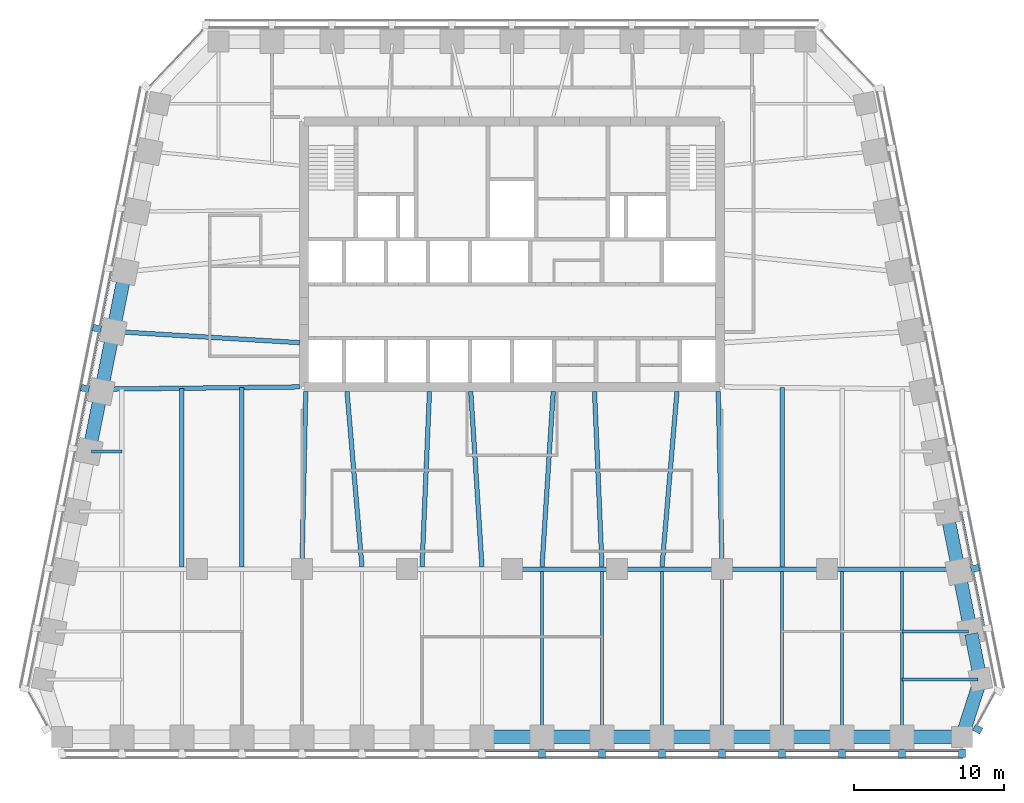
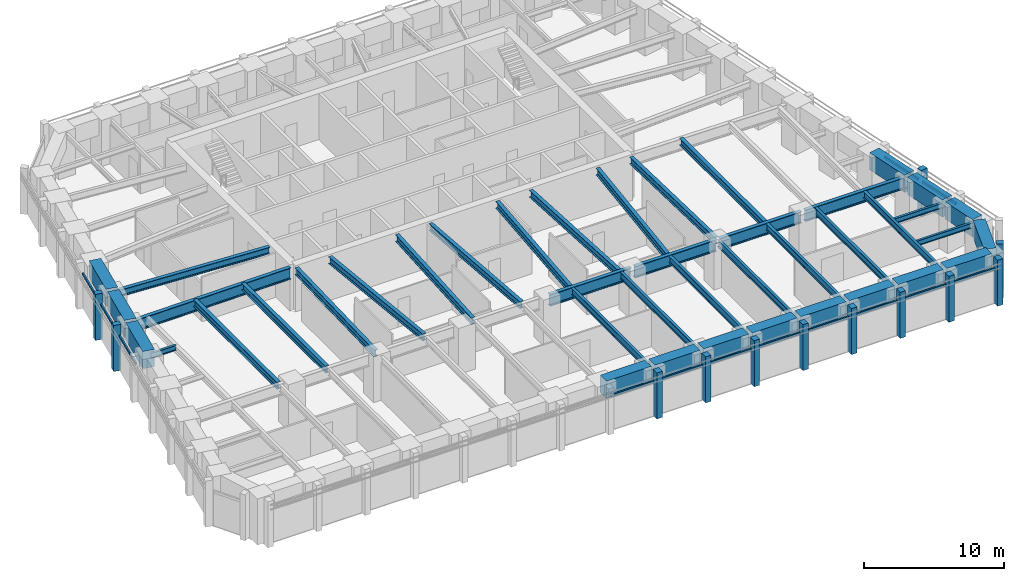
# One storey, part 2 of 10: 42 beams, 25 members, 4 elements without a shape of their own.
"""IFC4 building model written with IfcOpenShell, lengths in metres."""

from ifc_helpers import new_model, si_unit, direction, frame, origin, origin_2d, place, context, subcontext, project, spatial, rectangle, i_section, extrude, material, material_profile, profile_set, type_object, element, aggregate, save


model = new_model("IFC4")

# Units and contexts
model_context = context("Model", 3, precision=1e-05, world=origin(), true_north=direction((0.0, 1.0)))
body_context = subcontext(model_context, "Body", "Model", "MODEL_VIEW")
ifc_project = project(units=[si_unit("LENGTHUNIT", "METRE"), si_unit("AREAUNIT", "SQUARE_METRE"), si_unit("VOLUMEUNIT", "CUBIC_METRE"), si_unit("PLANEANGLEUNIT", "RADIAN"), si_unit("MASSUNIT", "GRAM", prefix="KILO")], contexts=[model_context])

# Site, building, storey
site_placement = place(None, origin())
site = spatial("IfcSite", under=ifc_project, at=site_placement, CompositionType="ELEMENT")
building_placement = place(site_placement, origin())
building = spatial("IfcBuilding", under=site, at=building_placement, Name="Isbrekke Arena Tower", CompositionType="ELEMENT")
storey_placement = place(building_placement, frame((0.0, 0.0, 234.0)))
storey = spatial("IfcBuildingStorey", under=building, at=storey_placement, Name="L54", CompositionType="ELEMENT", Elevation=234.0)

# Beams
ifc_material_1 = material(Name="Steel S355", Category="steel")
ifc_material_profile_1 = material_profile(ifc_material_1, i_section(OverallWidth=0.219970703125, OverallDepth=0.60009765625, WebThickness=0.011962890625, FlangeThickness=0.01904296875, FilletRadius=0.02392578125, at=origin_2d()), Name="IPE 600")
ifc_profile_set_1 = profile_set([ifc_material_profile_1], Name="Steel S355")
beam_type_1 = type_object("IfcBeamType", Name="B1 IPE 600", PredefinedType="BEAM", material=ifc_profile_set_1)
for number, where, z_axis, x_axis, name in (
    (1, (2.0, -17.02490234375, 3.550048828125), (0.0, 1.0, 0.0), (-1.0, 0.0, 0.0), "B1 beam S-S09 L54"),
    (2, (6.0, -17.02490234375, 3.550048828125), (0.0, 1.0, 0.0), (-1.0, 0.0, 0.0), "B1 beam S-S10 L54"),
    (3, (10.0, -17.02490234375, 3.550048828125), (0.0, 1.0, 0.0), (-1.0, 0.0, 0.0), "B1 beam S-S11 L54"),
):
    element("IfcBeam", number, at=place(storey_placement, frame(where, z_axis=z_axis, x_axis=x_axis)), inside=storey, type_object=beam_type_1, Name=name, PredefinedType="BEAM", context=body_context, shape_type="SweptSolid", body=[
        extrude(i_section(OverallWidth=0.219970703125, OverallDepth=0.60009765625, WebThickness=0.011962890625, FlangeThickness=0.01904296875, FilletRadius=0.02392578125, at=origin_2d()), origin(), (0.0, 0.0, 1.0), 10.8740234375),
    ])
beam_1_placement = place(storey_placement, frame((14.0, -17.02490234375, 3.550048828125), z_axis=(0.0, 1.0, 0.0), x_axis=(-1.0, 0.0, 0.0)))
element("IfcBeam", 4, at=beam_1_placement, inside=storey, type_object=beam_type_1, Name="B1 beam S-S12 L54", PredefinedType="BEAM", context=body_context, shape_type="SweptSolid", body=[
    extrude(i_section(OverallWidth=0.219970703125, OverallDepth=0.60009765625, WebThickness=0.011962890625, FlangeThickness=0.01904296875, FilletRadius=0.02392578125, at=origin_2d()), origin(), (0.0, 0.0, 1.0), 10.875),
])
for number, where, z_axis, x_axis, name in (
    (5, (18.0, -17.02490234375, 3.550048828125), (0.0, 1.0, 0.0), (-1.0, 0.0, 0.0), "B1 beam S-S13 L54"),
    (6, (22.0, -17.02490234375, 3.550048828125), (0.0, 1.0, 0.0), (-1.0, 0.0, 0.0), "B1 beam S-S14 L54"),
    (7, (26.0, -17.02490234375, 3.550048828125), (0.0, 1.0, 0.0), (-1.0, 0.0, 0.0), "B1 beam S-S15 L54"),
):
    element("IfcBeam", number, at=place(storey_placement, frame(where, z_axis=z_axis, x_axis=x_axis)), inside=storey, type_object=beam_type_1, Name=name, PredefinedType="BEAM", context=body_context, shape_type="SweptSolid", body=[
        extrude(i_section(OverallWidth=0.219970703125, OverallDepth=0.60009765625, WebThickness=0.011962890625, FlangeThickness=0.01904296875, FilletRadius=0.02392578125, at=origin_2d()), origin(), (0.0, 0.0, 1.0), 10.8740234375),
    ])
ifc_material_2 = material(Name="Steel S355", Category="steel")
ifc_material_profile_2 = material_profile(ifc_material_2, i_section(OverallWidth=0.18994140625, OverallDepth=0.449951171875, WebThickness=0.009521484375, FlangeThickness=0.0146484375, FilletRadius=0.02099609375, at=origin_2d()), Name="IPE 450")
ifc_profile_set_2 = profile_set([ifc_material_profile_2], Name="Steel S355")
beam_type_2 = type_object("IfcBeamType", Name="B2 IPE 450", PredefinedType="BEAM", material=ifc_profile_set_2)
beam_2_placement = place(storey_placement, frame((31.079345703125, -13.352783203125, 3.625), z_axis=(-1.0, 0.0, 0.0), x_axis=(0.0, -1.0, 0.0)))
element("IfcBeam", 8, at=beam_2_placement, inside=storey, type_object=beam_type_2, Name="B2 beam E-E01 L54", PredefinedType="BEAM", context=body_context, shape_type="SweptSolid", body=[
    extrude(i_section(OverallWidth=0.18994140625, OverallDepth=0.449951171875, WebThickness=0.009521484375, FlangeThickness=0.0146484375, FilletRadius=0.02099609375, at=origin_2d()), origin(), (0.0, 0.0, 1.0), 5.079345703125),
])
beam_3_placement = place(storey_placement, frame((30.44091796875, -10.161865234375, 3.625), z_axis=(-1.0, 0.0, 0.0), x_axis=(0.0, -1.0, 0.0)))
element("IfcBeam", 9, at=beam_3_placement, inside=storey, type_object=beam_type_2, Name="B2 beam E-E02 L54", PredefinedType="BEAM", context=body_context, shape_type="SweptSolid", body=[
    extrude(i_section(OverallWidth=0.18994140625, OverallDepth=0.449951171875, WebThickness=0.009521484375, FlangeThickness=0.0146484375, FilletRadius=0.02099609375, at=origin_2d()), origin(), (0.0, 0.0, 1.0), 4.44091796875),
])
beam_4_placement = place(storey_placement, frame((-28.041015625, 1.838134765625, 3.625), z_axis=(1.0, 0.0, 0.0), x_axis=(0.0, 1.0, 0.0)))
element("IfcBeam", 10, at=beam_4_placement, inside=storey, type_object=beam_type_2, Name="B2 beam E-W07 L54", PredefinedType="BEAM", context=body_context, shape_type="SweptSolid", body=[
    extrude(i_section(OverallWidth=0.18994140625, OverallDepth=0.449951171875, WebThickness=0.009521484375, FlangeThickness=0.0146484375, FilletRadius=0.02099609375, at=origin_2d()), origin(), (0.0, 0.0, 1.0), 2.041015625),
])
ifc_material_3 = material(Name="Steel S355", Category="steel")
ifc_material_profile_3 = material_profile(ifc_material_3, i_section(OverallWidth=0.300048828125, OverallDepth=0.60009765625, WebThickness=0.015380859375, FlangeThickness=0.030029296875, FilletRadius=0.027099609375, at=origin_2d()), Name="HEB 600")
ifc_profile_set_3 = profile_set([ifc_material_profile_3], Name="Steel S355")
beam_type_3 = type_object("IfcBeamType", Name="B7 HEB 600", PredefinedType="BEAM", material=ifc_profile_set_3)
beam_5_placement = place(storey_placement, frame((-22.0, -5.84912109375, 3.550048828125), z_axis=(0.0, 1.0, 0.0), x_axis=(-1.0, 0.0, 0.0)))
element("IfcBeam", 11, at=beam_5_placement, inside=storey, type_object=beam_type_3, Name="B7 beam C-M02 L54", PredefinedType="BEAM", context=body_context, shape_type="SweptSolid", body=[
    extrude(i_section(OverallWidth=0.300048828125, OverallDepth=0.60009765625, WebThickness=0.015380859375, FlangeThickness=0.030029296875, FilletRadius=0.027099609375, at=origin_2d()), origin(), (0.0, 0.0, 1.0), 11.91015625),
])
beam_6_placement = place(storey_placement, frame((-18.0, -5.84912109375, 3.550048828125), z_axis=(0.0, 1.0, 0.0), x_axis=(-1.0, 0.0, 0.0)))
element("IfcBeam", 12, at=beam_6_placement, inside=storey, type_object=beam_type_3, Name="B7 beam C-M03 L54", PredefinedType="BEAM", context=body_context, shape_type="SweptSolid", body=[
    extrude(i_section(OverallWidth=0.300048828125, OverallDepth=0.60009765625, WebThickness=0.015380859375, FlangeThickness=0.030029296875, FilletRadius=0.027099609375, at=origin_2d()), origin(), (0.0, 0.0, 1.0), 11.95556640625),
])
beam_7_placement = place(storey_placement, frame((-14.0, -5.8466796875, 3.550048828125), z_axis=(0.021368528218, 0.999771666933, 0.0), x_axis=(-0.999771666933, 0.021368528218, 0.0)))
element("IfcBeam", 13, at=beam_7_placement, inside=storey, type_object=beam_type_3, Name="B7 beam C-M04 L54", PredefinedType="BEAM", context=body_context, shape_type="SweptSolid", body=[
    extrude(i_section(OverallWidth=0.300048828125, OverallDepth=0.60009765625, WebThickness=0.015380859375, FlangeThickness=0.030029296875, FilletRadius=0.027099609375, at=origin_2d()), origin(), (0.0, 0.0, 1.0), 11.699462890625),
])
beam_8_placement = place(storey_placement, frame((-10.0009765625, -5.836181640625, 3.550048828125), z_axis=(-0.085176202372, 0.996365903948, 0.0), x_axis=(-0.996365903948, -0.085176202372, 0.0)))
element("IfcBeam", 14, at=beam_8_placement, inside=storey, type_object=beam_type_3, Name="B7 beam C-M05 L54", PredefinedType="BEAM", context=body_context, shape_type="SweptSolid", body=[
    extrude(i_section(OverallWidth=0.300048828125, OverallDepth=0.60009765625, WebThickness=0.015380859375, FlangeThickness=0.030029296875, FilletRadius=0.027099609375, at=origin_2d()), origin(), (0.0, 0.0, 1.0), 11.72900390625),
])
beam_9_placement = place(storey_placement, frame((-5.999755859375, -5.842529296875, 3.550048828125), z_axis=(0.042702124015, 0.999087848292, 0.0), x_axis=(-0.999087848292, 0.042702124015, 0.0)))
element("IfcBeam", 15, at=beam_9_placement, inside=storey, type_object=beam_type_3, Name="B7 beam C-M06 L54", PredefinedType="BEAM", context=body_context, shape_type="SweptSolid", body=[
    extrude(i_section(OverallWidth=0.300048828125, OverallDepth=0.60009765625, WebThickness=0.015380859375, FlangeThickness=0.030029296875, FilletRadius=0.027099609375, at=origin_2d()), origin(), (0.0, 0.0, 1.0), 11.703369140625),
])
for number, where, z_axis, x_axis, name in (
    (16, (-2.000732421875, -5.83935546875, 3.550048828125), (-0.063966475255, 0.997952047968, 0.0), (-0.997952047968, -0.063966475255, 0.0), "B7 beam C-M07 L54"),
    (17, (2.000732421875, -5.83935546875, 3.550048828125), (0.063966475255, 0.997952047968, 0.0), (-0.997952047968, 0.063966475255, 0.0), "B7 beam C-M08 L54"),
):
    element("IfcBeam", number, at=place(storey_placement, frame(where, z_axis=z_axis, x_axis=x_axis)), inside=storey, type_object=beam_type_3, Name=name, PredefinedType="BEAM", context=body_context, shape_type="SweptSolid", body=[
        extrude(i_section(OverallWidth=0.300048828125, OverallDepth=0.60009765625, WebThickness=0.015380859375, FlangeThickness=0.030029296875, FilletRadius=0.027099609375, at=origin_2d()), origin(), (0.0, 0.0, 1.0), 11.71337890625),
    ])
beam_10_placement = place(storey_placement, frame((5.999755859375, -5.842529296875, 3.550048828125), z_axis=(-0.042702124015, 0.999087848292, 0.0), x_axis=(-0.999087848292, -0.042702124015, 0.0)))
element("IfcBeam", 18, at=beam_10_placement, inside=storey, type_object=beam_type_3, Name="B7 beam C-M09 L54", PredefinedType="BEAM", context=body_context, shape_type="SweptSolid", body=[
    extrude(i_section(OverallWidth=0.300048828125, OverallDepth=0.60009765625, WebThickness=0.015380859375, FlangeThickness=0.030029296875, FilletRadius=0.027099609375, at=origin_2d()), origin(), (0.0, 0.0, 1.0), 11.703369140625),
])
beam_11_placement = place(storey_placement, frame((10.0009765625, -5.836181640625, 3.550048828125), z_axis=(0.085176202372, 0.996365903948, 0.0), x_axis=(-0.996365903948, 0.085176202372, 0.0)))
element("IfcBeam", 19, at=beam_11_placement, inside=storey, type_object=beam_type_3, Name="B7 beam C-M10 L54", PredefinedType="BEAM", context=body_context, shape_type="SweptSolid", body=[
    extrude(i_section(OverallWidth=0.300048828125, OverallDepth=0.60009765625, WebThickness=0.015380859375, FlangeThickness=0.030029296875, FilletRadius=0.027099609375, at=origin_2d()), origin(), (0.0, 0.0, 1.0), 11.72900390625),
])
beam_12_placement = place(storey_placement, frame((14.0, -5.8466796875, 3.550048828125), z_axis=(-0.021368528218, 0.999771666933, 0.0), x_axis=(-0.999771666933, -0.021368528218, 0.0)))
element("IfcBeam", 20, at=beam_12_placement, inside=storey, type_object=beam_type_3, Name="B7 beam C-M11 L54", PredefinedType="BEAM", context=body_context, shape_type="SweptSolid", body=[
    extrude(i_section(OverallWidth=0.300048828125, OverallDepth=0.60009765625, WebThickness=0.015380859375, FlangeThickness=0.030029296875, FilletRadius=0.027099609375, at=origin_2d()), origin(), (0.0, 0.0, 1.0), 11.699462890625),
])
beam_13_placement = place(storey_placement, frame((18.0, -5.84912109375, 3.550048828125), z_axis=(0.0, 1.0, 0.0), x_axis=(-1.0, 0.0, 0.0)))
element("IfcBeam", 21, at=beam_13_placement, inside=storey, type_object=beam_type_3, Name="B7 beam C-M12 L54", PredefinedType="BEAM", context=body_context, shape_type="SweptSolid", body=[
    extrude(i_section(OverallWidth=0.300048828125, OverallDepth=0.60009765625, WebThickness=0.015380859375, FlangeThickness=0.030029296875, FilletRadius=0.027099609375, at=origin_2d()), origin(), (0.0, 0.0, 1.0), 11.95556640625),
])
beam_14_placement = place(storey_placement, frame((-26.43212890625, 9.837646484375, 3.550048828125), z_axis=(0.998201854902, -0.059942112659, 0.0), x_axis=(0.059942112659, 0.998201854902, 0.0)))
element("IfcBeam", 22, at=beam_14_placement, inside=storey, type_object=beam_type_3, Name="B7 beam E-W05 L54", PredefinedType="BEAM", context=body_context, shape_type="SweptSolid", body=[
    extrude(i_section(OverallWidth=0.300048828125, OverallDepth=0.60009765625, WebThickness=0.015380859375, FlangeThickness=0.030029296875, FilletRadius=0.027099609375, at=origin_2d()), origin(), (0.0, 0.0, 1.0), 12.304443359375),
])

# Curtain wall, members
ifc_material_4 = material(Name="Glazed aluminium curtain wall", Category="aluminium")
curtain_wall_type = type_object("IfcCurtainWallType", Name="CWH TOWER CURTAIN WALL HIGH ZONE", PredefinedType="USERDEFINED", material=ifc_material_4)
curtain_wall_1_placement = place(storey_placement, origin())
curtain_wall_1 = element("IfcCurtainWall", 23, at=curtain_wall_1_placement, inside=storey, type_object=curtain_wall_type, Name="CWH curtain wall L54-S", ObjectType="TOWER CURTAIN WALL HIGH ZONE", PredefinedType="USERDEFINED")
ifc_material_5 = material(Name="Aluminium mullion, pale brick slip cladding", Category="masonry")
ifc_material_profile_4 = material_profile(ifc_material_5, rectangle(XDim=0.449951171875, YDim=0.550048828125, at=origin_2d()), Name="PIER 450X550")
ifc_profile_set_4 = profile_set([ifc_material_profile_4], Name="Aluminium mullion, pale brick slip cladding")
member_type_1 = type_object("IfcMemberType", Name="CWH-M PIER MULLION 450 x 550", PredefinedType="MULLION", material=ifc_profile_set_4)
member_1_placement = place(storey_placement, frame((2.0, -18.27490234375, 0.0), z_axis=(0.0, 0.0, 1.0), x_axis=(1.0, 0.0, 0.0)))
member_1 = element("IfcMember", 24, at=member_1_placement, type_object=member_type_1, Name="CWH-M mullion 9", PredefinedType="MULLION", context=body_context, shape_type="SweptSolid", body=[
    extrude(rectangle(XDim=0.449951171875, YDim=0.550048828125, at=origin_2d()), origin(), (0.0, 0.0, 1.0), 4.0),
])
member_2_placement = place(storey_placement, frame((6.0, -18.27490234375, 0.0), z_axis=(0.0, 0.0, 1.0), x_axis=(1.0, 0.0, 0.0)))
member_2 = element("IfcMember", 25, at=member_2_placement, type_object=member_type_1, Name="CWH-M mullion 10", PredefinedType="MULLION", context=body_context, shape_type="SweptSolid", body=[
    extrude(rectangle(XDim=0.449951171875, YDim=0.550048828125, at=origin_2d()), origin(), (0.0, 0.0, 1.0), 4.0),
])
member_3_placement = place(storey_placement, frame((10.0, -18.27490234375, 0.0), z_axis=(0.0, 0.0, 1.0), x_axis=(1.0, 0.0, 0.0)))
member_3 = element("IfcMember", 26, at=member_3_placement, type_object=member_type_1, Name="CWH-M mullion 11", PredefinedType="MULLION", context=body_context, shape_type="SweptSolid", body=[
    extrude(rectangle(XDim=0.449951171875, YDim=0.550048828125, at=origin_2d()), origin(), (0.0, 0.0, 1.0), 4.0),
])
member_4_placement = place(storey_placement, frame((14.0, -18.27490234375, 0.0), z_axis=(0.0, 0.0, 1.0), x_axis=(1.0, 0.0, 0.0)))
member_4 = element("IfcMember", 27, at=member_4_placement, type_object=member_type_1, Name="CWH-M mullion 12", PredefinedType="MULLION", context=body_context, shape_type="SweptSolid", body=[
    extrude(rectangle(XDim=0.449951171875, YDim=0.550048828125, at=origin_2d()), origin(), (0.0, 0.0, 1.0), 4.0),
])
member_5_placement = place(storey_placement, frame((18.0, -18.27490234375, 0.0), z_axis=(0.0, 0.0, 1.0), x_axis=(1.0, 0.0, 0.0)))
member_5 = element("IfcMember", 28, at=member_5_placement, type_object=member_type_1, Name="CWH-M mullion 13", PredefinedType="MULLION", context=body_context, shape_type="SweptSolid", body=[
    extrude(rectangle(XDim=0.449951171875, YDim=0.550048828125, at=origin_2d()), origin(), (0.0, 0.0, 1.0), 4.0),
])
member_6_placement = place(storey_placement, frame((22.0, -18.27490234375, 0.0), z_axis=(0.0, 0.0, 1.0), x_axis=(1.0, 0.0, 0.0)))
member_6 = element("IfcMember", 29, at=member_6_placement, type_object=member_type_1, Name="CWH-M mullion 14", PredefinedType="MULLION", context=body_context, shape_type="SweptSolid", body=[
    extrude(rectangle(XDim=0.449951171875, YDim=0.550048828125, at=origin_2d()), origin(), (0.0, 0.0, 1.0), 4.0),
])
member_7_placement = place(storey_placement, frame((26.0, -18.27490234375, 0.0), z_axis=(0.0, 0.0, 1.0), x_axis=(1.0, 0.0, 0.0)))
member_7 = element("IfcMember", 30, at=member_7_placement, type_object=member_type_1, Name="CWH-M mullion 15", PredefinedType="MULLION", context=body_context, shape_type="SweptSolid", body=[
    extrude(rectangle(XDim=0.449951171875, YDim=0.550048828125, at=origin_2d()), origin(), (0.0, 0.0, 1.0), 4.0),
])
member_8_placement = place(storey_placement, frame((30.0, -18.27490234375, 0.0), z_axis=(0.0, 0.0, 1.0), x_axis=(1.0, 0.0, 0.0)))
member_8 = element("IfcMember", 31, at=member_8_placement, type_object=member_type_1, Name="CWH-M mullion 16", PredefinedType="MULLION", context=body_context, shape_type="SweptSolid", body=[
    extrude(rectangle(XDim=0.449951171875, YDim=0.550048828125, at=origin_2d()), origin(), (0.0, 0.0, 1.0), 4.0),
])

# Curtain wall, member
curtain_wall_2_placement = place(storey_placement, origin())
curtain_wall_2 = element("IfcCurtainWall", 32, at=curtain_wall_2_placement, inside=storey, type_object=curtain_wall_type, Name="CWH curtain wall L54-SE", ObjectType="TOWER CURTAIN WALL HIGH ZONE", PredefinedType="USERDEFINED")
member_9_placement = place(storey_placement, frame((31.047119140625, -16.666748046875, 0.0), z_axis=(0.0, 0.0, 1.0), x_axis=(0.481918749773, 0.876215908676, 0.0)))
member_9 = element("IfcMember", 33, at=member_9_placement, type_object=member_type_1, Name="CWH-M mullion 1", PredefinedType="MULLION", context=body_context, shape_type="SweptSolid", body=[
    extrude(rectangle(XDim=0.449951171875, YDim=0.550048828125, at=origin_2d()), origin(), (0.0, 0.0, 1.0), 4.0),
])
aggregate(curtain_wall_2, [member_9])

curtain_wall_3_placement = place(storey_placement, origin())
curtain_wall_3 = element("IfcCurtainWall", 34, at=curtain_wall_3_placement, inside=storey, type_object=curtain_wall_type, Name="CWH curtain wall L54-E", ObjectType="TOWER CURTAIN WALL HIGH ZONE", PredefinedType="USERDEFINED")
member_10_placement = place(storey_placement, frame((30.86962890625, -5.946044921875, 0.0), z_axis=(0.0, 0.0, 1.0), x_axis=(-0.196116135138, 0.980580675691, 0.0)))
member_10 = element("IfcMember", 35, at=member_10_placement, type_object=member_type_1, Name="CWH-M mullion 2", PredefinedType="MULLION", context=body_context, shape_type="SweptSolid", body=[
    extrude(rectangle(XDim=0.449951171875, YDim=0.550048828125, at=origin_2d()), origin(), (0.0, 0.0, 1.0), 4.0),
])

# Curtain wall, members
curtain_wall_4_placement = place(storey_placement, origin())
curtain_wall_4 = element("IfcCurtainWall", 36, at=curtain_wall_4_placement, inside=storey, type_object=curtain_wall_type, Name="CWH curtain wall L54-W", ObjectType="TOWER CURTAIN WALL HIGH ZONE", PredefinedType="USERDEFINED")
member_11_placement = place(storey_placement, frame((-27.669677734375, 10.053955078125, 0.0), z_axis=(0.0, 0.0, 1.0), x_axis=(-0.196116135138, -0.980580675691, 0.0)))
member_11 = element("IfcMember", 37, at=member_11_placement, type_object=member_type_1, Name="CWH-M mullion 4", PredefinedType="MULLION", context=body_context, shape_type="SweptSolid", body=[
    extrude(rectangle(XDim=0.449951171875, YDim=0.550048828125, at=origin_2d()), origin(), (0.0, 0.0, 1.0), 4.0),
])
member_12_placement = place(storey_placement, frame((-28.4697265625, 6.053955078125, 0.0), z_axis=(0.0, 0.0, 1.0), x_axis=(-0.196116135138, -0.980580675691, 0.0)))
member_12 = element("IfcMember", 38, at=member_12_placement, type_object=member_type_1, Name="CWH-M mullion 5", PredefinedType="MULLION", context=body_context, shape_type="SweptSolid", body=[
    extrude(rectangle(XDim=0.449951171875, YDim=0.550048828125, at=origin_2d()), origin(), (0.0, 0.0, 1.0), 4.0),
])

# Member
ifc_material_6 = material(Name="Aluminium transom", Category="aluminium")
ifc_material_profile_5 = material_profile(ifc_material_6, rectangle(XDim=0.1201171875, YDim=0.199951171875, at=origin_2d()), Name="TRANSOM 120X200")
ifc_profile_set_5 = profile_set([ifc_material_profile_5], Name="Aluminium transom")
member_type_2 = type_object("IfcMemberType", Name="CWH-T TRANSOM 120 x 200", PredefinedType="USERDEFINED", material=ifc_profile_set_5)
member_13_placement = place(storey_placement, frame((-1.77490234375, -18.10009765625, 3.0), z_axis=(1.0, 0.0, 0.0), x_axis=(0.0, 1.0, 0.0)))
member_13 = element("IfcMember", 39, at=member_13_placement, type_object=member_type_2, Name="CWH-T transom 8", ObjectType="TRANSOM", PredefinedType="USERDEFINED", context=body_context, shape_type="SweptSolid", body=[
    extrude(rectangle(XDim=0.1201171875, YDim=0.199951171875, at=origin_2d()), origin(), (0.0, 0.0, 1.0), 3.5498046875),
])

member_14_placement = place(storey_placement, frame((2.22509765625, -18.10009765625, 3.0), z_axis=(1.0, 0.0, 0.0), x_axis=(0.0, 1.0, 0.0)))
member_14 = element("IfcMember", 40, at=member_14_placement, type_object=member_type_2, Name="CWH-T transom 9", ObjectType="TRANSOM", PredefinedType="USERDEFINED", context=body_context, shape_type="SweptSolid", body=[
    extrude(rectangle(XDim=0.1201171875, YDim=0.199951171875, at=origin_2d()), origin(), (0.0, 0.0, 1.0), 3.5498046875),
])

member_15_placement = place(storey_placement, frame((6.22509765625, -18.10009765625, 3.0), z_axis=(1.0, 0.0, 0.0), x_axis=(0.0, 1.0, 0.0)))
member_15 = element("IfcMember", 41, at=member_15_placement, type_object=member_type_2, Name="CWH-T transom 10", ObjectType="TRANSOM", PredefinedType="USERDEFINED", context=body_context, shape_type="SweptSolid", body=[
    extrude(rectangle(XDim=0.1201171875, YDim=0.199951171875, at=origin_2d()), origin(), (0.0, 0.0, 1.0), 3.5498046875),
])

member_16_placement = place(storey_placement, frame((10.22509765625, -18.10009765625, 3.0), z_axis=(1.0, 0.0, 0.0), x_axis=(0.0, 1.0, 0.0)))
member_16 = element("IfcMember", 42, at=member_16_placement, type_object=member_type_2, Name="CWH-T transom 11", ObjectType="TRANSOM", PredefinedType="USERDEFINED", context=body_context, shape_type="SweptSolid", body=[
    extrude(rectangle(XDim=0.1201171875, YDim=0.199951171875, at=origin_2d()), origin(), (0.0, 0.0, 1.0), 3.5498046875),
])

member_17_placement = place(storey_placement, frame((14.22509765625, -18.10009765625, 3.0), z_axis=(1.0, 0.0, 0.0), x_axis=(0.0, 1.0, 0.0)))
member_17 = element("IfcMember", 43, at=member_17_placement, type_object=member_type_2, Name="CWH-T transom 12", ObjectType="TRANSOM", PredefinedType="USERDEFINED", context=body_context, shape_type="SweptSolid", body=[
    extrude(rectangle(XDim=0.1201171875, YDim=0.199951171875, at=origin_2d()), origin(), (0.0, 0.0, 1.0), 3.5498046875),
])

member_18_placement = place(storey_placement, frame((18.22509765625, -18.10009765625, 3.0), z_axis=(1.0, 0.0, 0.0), x_axis=(0.0, 1.0, 0.0)))
member_18 = element("IfcMember", 44, at=member_18_placement, type_object=member_type_2, Name="CWH-T transom 13", ObjectType="TRANSOM", PredefinedType="USERDEFINED", context=body_context, shape_type="SweptSolid", body=[
    extrude(rectangle(XDim=0.1201171875, YDim=0.199951171875, at=origin_2d()), origin(), (0.0, 0.0, 1.0), 3.5498046875),
])

member_19_placement = place(storey_placement, frame((22.22509765625, -18.10009765625, 3.0), z_axis=(1.0, 0.0, 0.0), x_axis=(0.0, 1.0, 0.0)))
member_19 = element("IfcMember", 45, at=member_19_placement, type_object=member_type_2, Name="CWH-T transom 14", ObjectType="TRANSOM", PredefinedType="USERDEFINED", context=body_context, shape_type="SweptSolid", body=[
    extrude(rectangle(XDim=0.1201171875, YDim=0.199951171875, at=origin_2d()), origin(), (0.0, 0.0, 1.0), 3.5498046875),
])

member_20_placement = place(storey_placement, frame((26.22509765625, -18.10009765625, 3.0), z_axis=(1.0, 0.0, 0.0), x_axis=(0.0, 1.0, 0.0)))
member_20 = element("IfcMember", 46, at=member_20_placement, type_object=member_type_2, Name="CWH-T transom 15", ObjectType="TRANSOM", PredefinedType="USERDEFINED", context=body_context, shape_type="SweptSolid", body=[
    extrude(rectangle(XDim=0.1201171875, YDim=0.199951171875, at=origin_2d()), origin(), (0.0, 0.0, 1.0), 3.5498046875),
])

aggregate(curtain_wall_1, [member_1, member_2, member_3, member_4, member_5, member_6, member_7, member_8, member_13, member_14, member_15, member_16, member_17, member_18, member_19, member_20])

member_21_placement = place(storey_placement, frame((31.453857421875, -9.759765625, 3.0), z_axis=(-0.196090262229, 0.980585849918, 0.0), x_axis=(-0.980585849918, -0.196090262229, 0.0)))
member_21 = element("IfcMember", 47, at=member_21_placement, type_object=member_type_2, Name="CWH-T transom 2", ObjectType="TRANSOM", PredefinedType="USERDEFINED", context=body_context, shape_type="SweptSolid", body=[
    extrude(rectangle(XDim=0.1201171875, YDim=0.199951171875, at=origin_2d()), origin(), (0.0, 0.0, 1.0), 3.62939453125),
])

member_22_placement = place(storey_placement, frame((30.654052734375, -5.759765625, 3.0), z_axis=(-0.196154943734, 0.980572913173, 0.0), x_axis=(-0.980572913173, -0.196154943734, 0.0)))
member_22 = element("IfcMember", 48, at=member_22_placement, type_object=member_type_2, Name="CWH-T transom 3", ObjectType="TRANSOM", PredefinedType="USERDEFINED", context=body_context, shape_type="SweptSolid", body=[
    extrude(rectangle(XDim=0.1201171875, YDim=0.199951171875, at=origin_2d()), origin(), (0.0, 0.0, 1.0), 3.62939453125),
])

aggregate(curtain_wall_3, [member_10, member_21, member_22])

member_23_placement = place(storey_placement, frame((-26.7421875, 13.799072265625, 3.0), z_axis=(-0.196090262229, -0.980585849918, 0.0), x_axis=(0.980585849918, -0.196090262229, 0.0)))
member_23 = element("IfcMember", 49, at=member_23_placement, type_object=member_type_2, Name="CWH-T transom 4", ObjectType="TRANSOM", PredefinedType="USERDEFINED", context=body_context, shape_type="SweptSolid", body=[
    extrude(rectangle(XDim=0.1201171875, YDim=0.199951171875, at=origin_2d()), origin(), (0.0, 0.0, 1.0), 3.62939453125),
])

member_24_placement = place(storey_placement, frame((-27.542236328125, 9.799072265625, 3.0), z_axis=(-0.196090262229, -0.980585849918, 0.0), x_axis=(0.980585849918, -0.196090262229, 0.0)))
member_24 = element("IfcMember", 50, at=member_24_placement, type_object=member_type_2, Name="CWH-T transom 5", ObjectType="TRANSOM", PredefinedType="USERDEFINED", context=body_context, shape_type="SweptSolid", body=[
    extrude(rectangle(XDim=0.1201171875, YDim=0.199951171875, at=origin_2d()), origin(), (0.0, 0.0, 1.0), 3.62939453125),
])

member_25_placement = place(storey_placement, frame((-28.34228515625, 5.799072265625, 3.0), z_axis=(-0.196090262229, -0.980585849918, 0.0), x_axis=(0.980585849918, -0.196090262229, 0.0)))
member_25 = element("IfcMember", 51, at=member_25_placement, type_object=member_type_2, Name="CWH-T transom 6", ObjectType="TRANSOM", PredefinedType="USERDEFINED", context=body_context, shape_type="SweptSolid", body=[
    extrude(rectangle(XDim=0.1201171875, YDim=0.199951171875, at=origin_2d()), origin(), (0.0, 0.0, 1.0), 3.62939453125),
])

aggregate(curtain_wall_4, [member_11, member_12, member_23, member_24, member_25])

# Beams
ifc_material_7 = material(Name="Steel S355", Category="steel")
ifc_material_profile_6 = material_profile(ifc_material_7, i_section(OverallWidth=0.302001953125, OverallDepth=1.008056640625, WebThickness=0.02099609375, FlangeThickness=0.0400390625, FilletRadius=0.030029296875, at=origin_2d()), Name="HEM 1000")
ifc_profile_set_6 = profile_set([ifc_material_profile_6], Name="Steel S355")
beam_type_4 = type_object("IfcBeamType", Name="G1 HEM 1000", PredefinedType="BEAM", material=ifc_profile_set_6)
for number, where, z_axis, x_axis, name in (
    (52, (0.14990234375, -6.0, 3.345947265625), (1.0, 0.0, 0.0), (0.0, 1.0, 0.0), "G1 beam G1-05 L54"),
    (53, (7.14990234375, -6.0, 3.345947265625), (1.0, 0.0, 0.0), (0.0, 1.0, 0.0), "G1 beam G1-06 L54"),
    (54, (14.14990234375, -6.0, 3.345947265625), (1.0, 0.0, 0.0), (0.0, 1.0, 0.0), "G1 beam G1-07 L54"),
):
    element("IfcBeam", number, at=place(storey_placement, frame(where, z_axis=z_axis, x_axis=x_axis)), inside=storey, type_object=beam_type_4, Name=name, PredefinedType="BEAM", context=body_context, shape_type="SweptSolid", body=[
        extrude(i_section(OverallWidth=0.302001953125, OverallDepth=1.008056640625, WebThickness=0.02099609375, FlangeThickness=0.0400390625, FilletRadius=0.030029296875, at=origin_2d()), origin(), (0.0, 0.0, 1.0), 6.7001953125),
    ])
beam_15_placement = place(storey_placement, frame((21.14990234375, -6.0, 3.345947265625), z_axis=(1.0, 0.0, 0.0), x_axis=(0.0, 1.0, 0.0)))
element("IfcBeam", 55, at=beam_15_placement, inside=storey, type_object=beam_type_4, Name="G1 beam G1-08 L54", PredefinedType="BEAM", context=body_context, shape_type="SweptSolid", body=[
    extrude(i_section(OverallWidth=0.302001953125, OverallDepth=1.008056640625, WebThickness=0.02099609375, FlangeThickness=0.0400390625, FilletRadius=0.030029296875, at=origin_2d()), origin(), (0.0, 0.0, 1.0), 8.64111328125),
])
ifc_material_8 = material(Name="Steel S355", Category="steel")
ifc_material_profile_7 = material_profile(ifc_material_8, i_section(OverallWidth=0.302001953125, OverallDepth=1.008056640625, WebThickness=0.02099609375, FlangeThickness=0.0400390625, FilletRadius=0.030029296875, at=origin_2d()), Name="HEM 1000")
ifc_profile_set_7 = profile_set([ifc_material_profile_7], Name="Steel S355")
beam_type_5 = type_object("IfcBeamType", Name="G2 HEM 1000", PredefinedType="BEAM", material=ifc_profile_set_7)
beam_16_placement = place(storey_placement, frame((-14.14990234375, 6.14990234375, 3.345947265625), z_axis=(-0.999935908299, -0.011321629528, 0.0), x_axis=(0.011321629528, -0.999935908299, 0.0)))
element("IfcBeam", 56, at=beam_16_placement, inside=storey, type_object=beam_type_5, Name="G2 beam G2-W L54", PredefinedType="BEAM", context=body_context, shape_type="SweptSolid", body=[
    extrude(i_section(OverallWidth=0.302001953125, OverallDepth=1.008056640625, WebThickness=0.02099609375, FlangeThickness=0.0400390625, FilletRadius=0.030029296875, at=origin_2d()), origin(), (0.0, 0.0, 1.0), 13.240234375),
])
ifc_material_9 = material(Name="Concrete B65 (C65/80)", Category="concrete")
ifc_material_profile_8 = material_profile(ifc_material_9, rectangle(XDim=0.89990234375, YDim=1.5, at=origin_2d()), Name="RC 900x1500")
ifc_profile_set_8 = profile_set([ifc_material_profile_8], Name="Concrete B65 (C65/80)")
beam_type_6 = type_object("IfcBeamType", Name="SB3 RC 900 x 1500", PredefinedType="SPANDREL", material=ifc_profile_set_8)
for number, where, z_axis, x_axis, name in (
    (57, (-1.85009765625, -17.175048828125, 3.25), (1.0, 0.0, 0.0), (0.0, 1.0, 0.0), "SB3 spandrel S08-S09 L54"),
    (58, (2.14990234375, -17.175048828125, 3.25), (1.0, 0.0, 0.0), (0.0, 1.0, 0.0), "SB3 spandrel S09-S10 L54"),
    (59, (6.14990234375, -17.175048828125, 3.25), (1.0, 0.0, 0.0), (0.0, 1.0, 0.0), "SB3 spandrel S10-S11 L54"),
    (60, (10.14990234375, -17.175048828125, 3.25), (1.0, 0.0, 0.0), (0.0, 1.0, 0.0), "SB3 spandrel S11-S12 L54"),
    (61, (14.14990234375, -17.175048828125, 3.25), (1.0, 0.0, 0.0), (0.0, 1.0, 0.0), "SB3 spandrel S12-S13 L54"),
    (62, (18.14990234375, -17.175048828125, 3.25), (1.0, 0.0, 0.0), (0.0, 1.0, 0.0), "SB3 spandrel S13-S14 L54"),
    (63, (22.14990234375, -17.175048828125, 3.25), (1.0, 0.0, 0.0), (0.0, 1.0, 0.0), "SB3 spandrel S14-S15 L54"),
    (64, (26.14990234375, -17.175048828125, 3.25), (1.0, 0.0, 0.0), (0.0, 1.0, 0.0), "SB3 spandrel S15-S16 L54"),
):
    element("IfcBeam", number, at=place(storey_placement, frame(where, z_axis=z_axis, x_axis=x_axis)), inside=storey, type_object=beam_type_6, Name=name, PredefinedType="SPANDREL", context=body_context, shape_type="SweptSolid", body=[
        extrude(rectangle(XDim=0.89990234375, YDim=1.5, at=origin_2d()), origin(), (0.0, 0.0, 1.0), 3.7001953125),
    ])
beam_17_placement = place(storey_placement, frame((30.0458984375, -17.0322265625, 3.25), z_axis=(0.306175101476, 0.951975213562, 0.0), x_axis=(-0.951975213562, 0.306175101476, 0.0)))
element("IfcBeam", 65, at=beam_17_placement, inside=storey, type_object=beam_type_6, Name="SB3 spandrel S16-E01 L54", PredefinedType="SPANDREL", context=body_context, shape_type="SweptSolid", body=[
    extrude(rectangle(XDim=0.89990234375, YDim=1.5, at=origin_2d()), origin(), (0.0, 0.0, 1.0), 3.715087890625),
])
beam_18_placement = place(storey_placement, frame((31.19970703125, -13.205810546875, 3.25), z_axis=(-0.196100243168, 0.980583853951, 0.0), x_axis=(-0.980583853951, -0.196100243168, 0.0)))
element("IfcBeam", 66, at=beam_18_placement, inside=storey, type_object=beam_type_6, Name="SB3 spandrel E01-E02 L54", PredefinedType="SPANDREL", context=body_context, shape_type="SweptSolid", body=[
    extrude(rectangle(XDim=0.89990234375, YDim=1.5, at=origin_2d()), origin(), (0.0, 0.0, 1.0), 2.954345703125),
])
beam_19_placement = place(storey_placement, frame((30.5615234375, -10.0146484375, 3.25), z_axis=(-0.1960664412, 0.980590613169, 0.0), x_axis=(-0.980590613169, -0.1960664412, 0.0)))
element("IfcBeam", 67, at=beam_19_placement, inside=storey, type_object=beam_type_6, Name="SB3 spandrel E02-E03 L54", PredefinedType="SPANDREL", context=body_context, shape_type="SweptSolid", body=[
    extrude(rectangle(XDim=0.89990234375, YDim=1.5, at=origin_2d()), origin(), (0.0, 0.0, 1.0), 3.779052734375),
])
beam_20_placement = place(storey_placement, frame((29.76171875, -6.0146484375, 3.25), z_axis=(-0.196128558387, 0.980578190959, 0.0), x_axis=(-0.980578190959, -0.196128558387, 0.0)))
element("IfcBeam", 68, at=beam_20_placement, inside=storey, type_object=beam_type_6, Name="SB3 spandrel E03-E04 L54", PredefinedType="SPANDREL", context=body_context, shape_type="SweptSolid", body=[
    extrude(rectangle(XDim=0.89990234375, YDim=1.5, at=origin_2d()), origin(), (0.0, 0.0, 1.0), 3.779296875),
])
beam_21_placement = place(storey_placement, frame((-25.820556640625, 13.691162109375, 3.25), z_axis=(-0.1960664412, -0.980590613169, 0.0), x_axis=(0.980590613169, -0.1960664412, 0.0)))
element("IfcBeam", 69, at=beam_21_placement, inside=storey, type_object=beam_type_6, Name="SB3 spandrel W04-W05 L54", PredefinedType="SPANDREL", context=body_context, shape_type="SweptSolid", body=[
    extrude(rectangle(XDim=0.89990234375, YDim=1.5, at=origin_2d()), origin(), (0.0, 0.0, 1.0), 3.779052734375),
])
for number, where, z_axis, x_axis, name in (
    (70, (-26.620361328125, 9.691162109375, 3.25), (-0.196128558387, -0.980578190959, 0.0), (0.980578190959, -0.196128558387, 0.0), "SB3 spandrel W05-W06 L54"),
    (71, (-27.42041015625, 5.691162109375, 3.25), (-0.196128558387, -0.980578190959, 0.0), (0.980578190959, -0.196128558387, 0.0), "SB3 spandrel W06-W07 L54"),
):
    element("IfcBeam", number, at=place(storey_placement, frame(where, z_axis=z_axis, x_axis=x_axis)), inside=storey, type_object=beam_type_6, Name=name, PredefinedType="SPANDREL", context=body_context, shape_type="SweptSolid", body=[
        extrude(rectangle(XDim=0.89990234375, YDim=1.5, at=origin_2d()), origin(), (0.0, 0.0, 1.0), 3.779296875),
    ])

save(model, "model.ifc")
